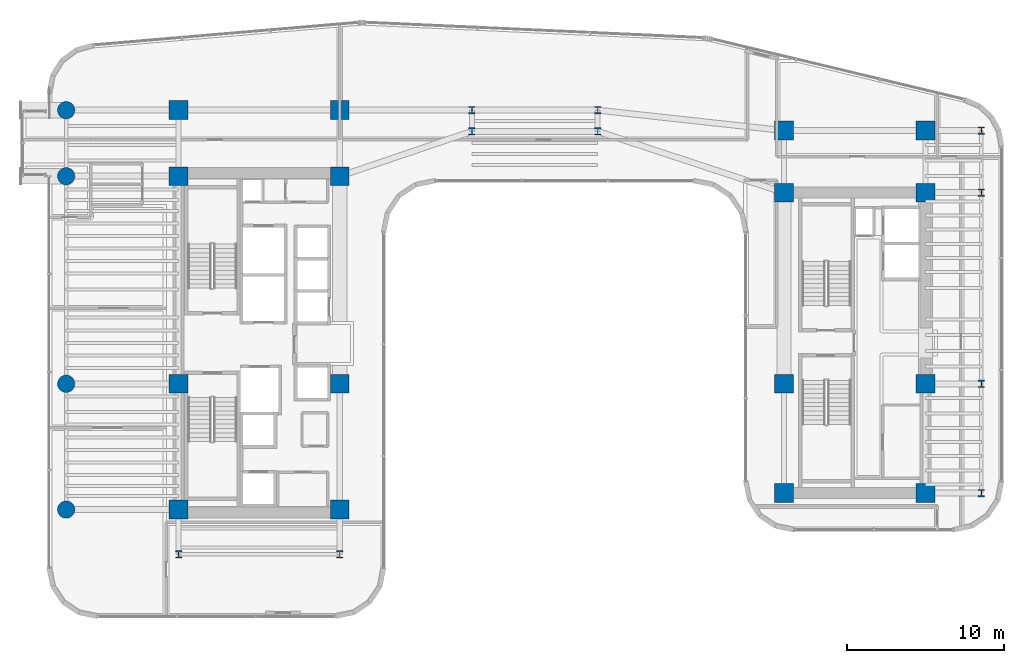
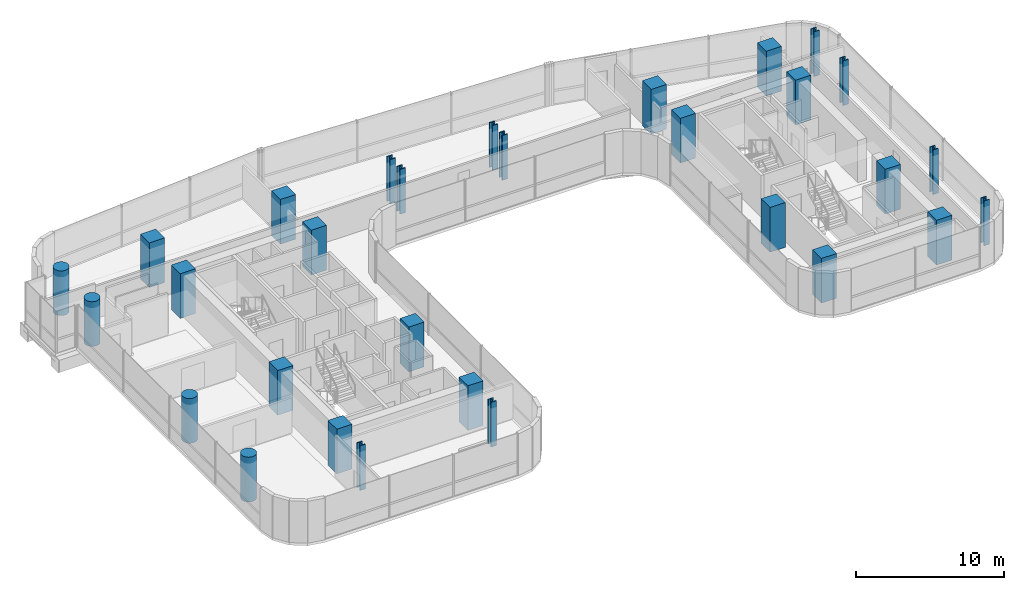
# One storey, part 1 of 34: 30 columns.
"""IFC4 building model written with IfcOpenShell, lengths in metres."""

from ifc_helpers import new_model, si_unit, direction, frame, origin, origin_2d, place, context, subcontext, project, spatial, rectangle, circle, i_section, extrude, source, transform, mapped, material, material_profile, profile_set, type_object, element, save


model = new_model("IFC4")

# Units and contexts
model_context = context("Model", 3, precision=1e-05, world=origin(), true_north=direction((0.0, 1.0)))
body_context = subcontext(model_context, "Body", "Model", "MODEL_VIEW")
ifc_project = project(units=[si_unit("LENGTHUNIT", "METRE"), si_unit("AREAUNIT", "SQUARE_METRE"), si_unit("VOLUMEUNIT", "CUBIC_METRE"), si_unit("PLANEANGLEUNIT", "RADIAN"), si_unit("MASSUNIT", "GRAM", prefix="KILO")], contexts=[model_context])

# Site, building, storey
site_placement = place(None, origin())
site = spatial("IfcSite", under=ifc_project, at=site_placement, CompositionType="ELEMENT")
building_placement = place(site_placement, origin())
building = spatial("IfcBuilding", under=site, at=building_placement, Name="Valdorenza Pilgrim Sanctuary Tower", CompositionType="ELEMENT")
storey_placement = place(building_placement, frame((0.0, 0.0, 120.5)))
storey = spatial("IfcBuildingStorey", under=building, at=storey_placement, Name="L30", CompositionType="ELEMENT", Elevation=120.5)

# Columns
ifc_material_1 = material(Name="Concrete C50/60", Category="concrete")
ifc_material_profile_1 = material_profile(ifc_material_1, circle(Radius=0.550048828125, at=origin_2d()), Name="RC D1100")
ifc_profile_set_1 = profile_set([ifc_material_profile_1], Name="Concrete C50/60")
column_type_1 = type_object("IfcColumnType", Name="COL-RND-1100", PredefinedType="COLUMN", material=ifc_profile_set_1)
shared_shape_1 = source(origin(), body_context, "Body", "SweptSolid", [
    extrude(circle(Radius=0.550048828125, at=origin_2d()), origin(), (0.0, 0.0, 1.0), 3.699951171875),
])
for number, where, z_axis, x_axis, name in (
    (1, (-29.800048828125, -10.60009765625, 0.0), (0.0, 0.0, 1.0), (1.0, 0.0, 0.0), "L30 Perimeter Column WA-W-S1"),
    (2, (-29.800048828125, -2.60009765625, 0.0), (0.0, 0.0, 1.0), (1.0, 0.0, 0.0), "L30 Perimeter Column WA-W-M0"),
    (3, (-29.800048828125, 10.60009765625, 0.0), (0.0, 0.0, 1.0), (1.0, 0.0, 0.0), "L30 Perimeter Column WA-W-N1"),
    (4, (-29.800048828125, 14.800048828125, 0.0), (0.0, 0.0, 1.0), (1.0, 0.0, 0.0), "L30 Perimeter Column WA-W-N2"),
):
    element("IfcColumn", number, at=place(storey_placement, frame(where, z_axis=z_axis, x_axis=x_axis)), inside=storey, type_object=column_type_1, Name=name, PredefinedType="COLUMN", context=body_context, shape_type="MappedRepresentation", body=[
        mapped(shared_shape_1, transform((0.0, 0.0, 0.0), x_axis=(1.0, 0.0, 0.0), y_axis=(0.0, 1.0, 0.0), z_axis=(0.0, 0.0, 1.0), scale=1.0)),
    ])
ifc_material_2 = material(Name="Concrete C60/75", Category="concrete")
ifc_material_profile_2 = material_profile(ifc_material_2, rectangle(XDim=1.199951171875, YDim=1.199951171875, at=origin_2d()), Name="RC 1200x1200")
ifc_profile_set_2 = profile_set([ifc_material_profile_2], Name="Concrete C60/75")
column_type_2 = type_object("IfcColumnType", Name="COL-Z2-1200", PredefinedType="COLUMN", material=ifc_profile_set_2)
shared_shape_2 = source(origin(), body_context, "Body", "SweptSolid", [
    extrude(rectangle(XDim=1.199951171875, YDim=1.199951171875, at=origin_2d()), origin(), (0.0, 0.0, 1.0), 3.699951171875),
])
for number, where, z_axis, x_axis, name in (
    (5, (-22.64990234375, -10.60009765625, 0.0), (0.0, 0.0, 1.0), (1.0, 0.0, 0.0), "L30 Column CA-W-S1"),
    (6, (-12.39990234375, -10.60009765625, 0.0), (0.0, 0.0, 1.0), (1.0, 0.0, 0.0), "L30 Column CA-E-S1"),
    (7, (-22.64990234375, -2.60009765625, 0.0), (0.0, 0.0, 1.0), (1.0, 0.0, 0.0), "L30 Column CA-W-M0"),
    (8, (-12.39990234375, -2.60009765625, 0.0), (0.0, 0.0, 1.0), (1.0, 0.0, 0.0), "L30 Column CA-E-M0"),
    (9, (-22.64990234375, 10.60009765625, 0.0), (0.0, 0.0, 1.0), (1.0, 0.0, 0.0), "L30 Column CA-W-N1"),
    (10, (-12.39990234375, 10.60009765625, 0.0), (0.0, 0.0, 1.0), (1.0, 0.0, 0.0), "L30 Column CA-E-N1"),
    (11, (-22.64990234375, 14.800048828125, 0.0), (0.0, 0.0, 1.0), (1.0, 0.0, 0.0), "L30 Column CA-W-N2"),
    (12, (-12.39990234375, 14.800048828125, 0.0), (0.0, 0.0, 1.0), (1.0, 0.0, 0.0), "L30 Column CA-E-N2"),
    (13, (15.85009765625, -9.550048828125, 0.0), (0.0, 0.0, 1.0), (1.0, 0.0, 0.0), "L30 Column CB-W-S1"),
    (14, (24.85009765625, -9.550048828125, 0.0), (0.0, 0.0, 1.0), (1.0, 0.0, 0.0), "L30 Column CB-E-S1"),
    (15, (15.85009765625, -2.60009765625, 0.0), (0.0, 0.0, 1.0), (1.0, 0.0, 0.0), "L30 Column CB-W-M0"),
    (16, (24.85009765625, -2.60009765625, 0.0), (0.0, 0.0, 1.0), (1.0, 0.0, 0.0), "L30 Column CB-E-M0"),
    (17, (15.85009765625, 9.550048828125, 0.0), (0.0, 0.0, 1.0), (1.0, 0.0, 0.0), "L30 Column CB-W-N1"),
    (18, (24.85009765625, 9.550048828125, 0.0), (0.0, 0.0, 1.0), (1.0, 0.0, 0.0), "L30 Column CB-E-N1"),
    (19, (15.85009765625, 13.5, 0.0), (0.0, 0.0, 1.0), (1.0, 0.0, 0.0), "L30 Column CB-W-N2"),
    (20, (24.85009765625, 13.5, 0.0), (0.0, 0.0, 1.0), (1.0, 0.0, 0.0), "L30 Column CB-E-N2"),
):
    element("IfcColumn", number, at=place(storey_placement, frame(where, z_axis=z_axis, x_axis=x_axis)), inside=storey, type_object=column_type_2, Name=name, PredefinedType="COLUMN", context=body_context, shape_type="MappedRepresentation", body=[
        mapped(shared_shape_2, transform((0.0, 0.0, 0.0), x_axis=(1.0, 0.0, 0.0), y_axis=(0.0, 1.0, 0.0), z_axis=(0.0, 0.0, 1.0), scale=1.0)),
    ])
ifc_material_3 = material(Name="Steel ASTM A992 Grade 50", Category="steel")
ifc_material_profile_3 = material_profile(ifc_material_3, i_section(OverallWidth=0.424072265625, OverallDepth=0.47412109375, WebThickness=0.047607421875, FlangeThickness=0.0771484375, at=origin_2d()), Name="W14X426")
ifc_profile_set_3 = profile_set([ifc_material_profile_3], Name="Steel ASTM A992 Grade 50")
column_type_3 = type_object("IfcColumnType", Name="COL-STL-W426", PredefinedType="COLUMN", material=ifc_profile_set_3)
shared_shape_3 = source(origin(), body_context, "Body", "SweptSolid", [
    extrude(i_section(OverallWidth=0.424072265625, OverallDepth=0.47412109375, WebThickness=0.047607421875, FlangeThickness=0.0771484375, at=origin_2d()), origin(), (0.0, 0.0, 1.0), 3.699951171875),
])
for number, where, z_axis, x_axis, name in (
    (21, (-22.64990234375, -13.449951171875, 0.0), (0.0, 0.0, 1.0), (1.0, 0.0, 0.0), "L30 Column WA-S-W"),
    (22, (-12.39990234375, -13.449951171875, 0.0), (0.0, 0.0, 1.0), (1.0, 0.0, 0.0), "L30 Column WA-S-E"),
    (23, (28.39990234375, -9.550048828125, 0.0), (0.0, 0.0, 1.0), (1.0, 0.0, 0.0), "L30 Perimeter Column WB-E-S1"),
    (24, (28.39990234375, -2.60009765625, 0.0), (0.0, 0.0, 1.0), (1.0, 0.0, 0.0), "L30 Perimeter Column WB-E-M0"),
    (25, (28.39990234375, 9.550048828125, 0.0), (0.0, 0.0, 1.0), (1.0, 0.0, 0.0), "L30 Perimeter Column WB-E-N1"),
    (26, (28.39990234375, 13.5, 0.0), (0.0, 0.0, 1.0), (1.0, 0.0, 0.0), "L30 Perimeter Column WB-E-N2"),
    (27, (-4.0, 13.449951171875, 0.0), (0.0, 0.0, 1.0), (1.0, 0.0, 0.0), "L30 Column KNK-W1"),
    (28, (-4.0, 14.800048828125, 0.0), (0.0, 0.0, 1.0), (1.0, 0.0, 0.0), "L30 Column KNK-W2"),
    (29, (4.0, 13.449951171875, 0.0), (0.0, 0.0, 1.0), (1.0, 0.0, 0.0), "L30 Column KNK-E1"),
    (30, (4.0, 14.800048828125, 0.0), (0.0, 0.0, 1.0), (1.0, 0.0, 0.0), "L30 Column KNK-E2"),
):
    element("IfcColumn", number, at=place(storey_placement, frame(where, z_axis=z_axis, x_axis=x_axis)), inside=storey, type_object=column_type_3, Name=name, PredefinedType="COLUMN", context=body_context, shape_type="MappedRepresentation", body=[
        mapped(shared_shape_3, transform((0.0, 0.0, 0.0), x_axis=(1.0, 0.0, 0.0), y_axis=(0.0, 1.0, 0.0), z_axis=(0.0, 0.0, 1.0), scale=1.0)),
    ])

save(model, "model.ifc")
